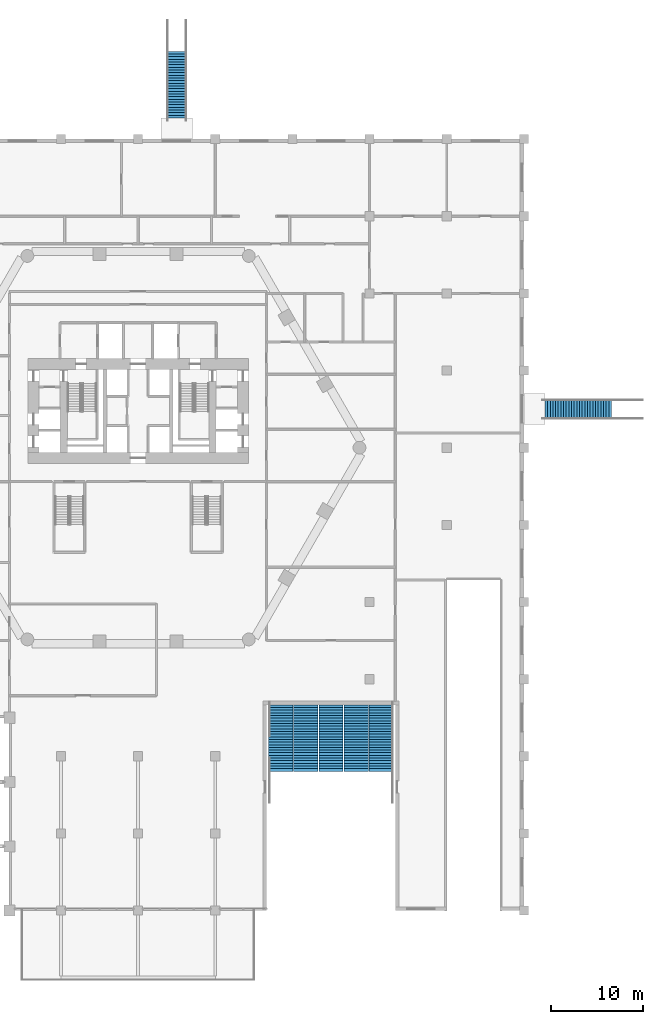
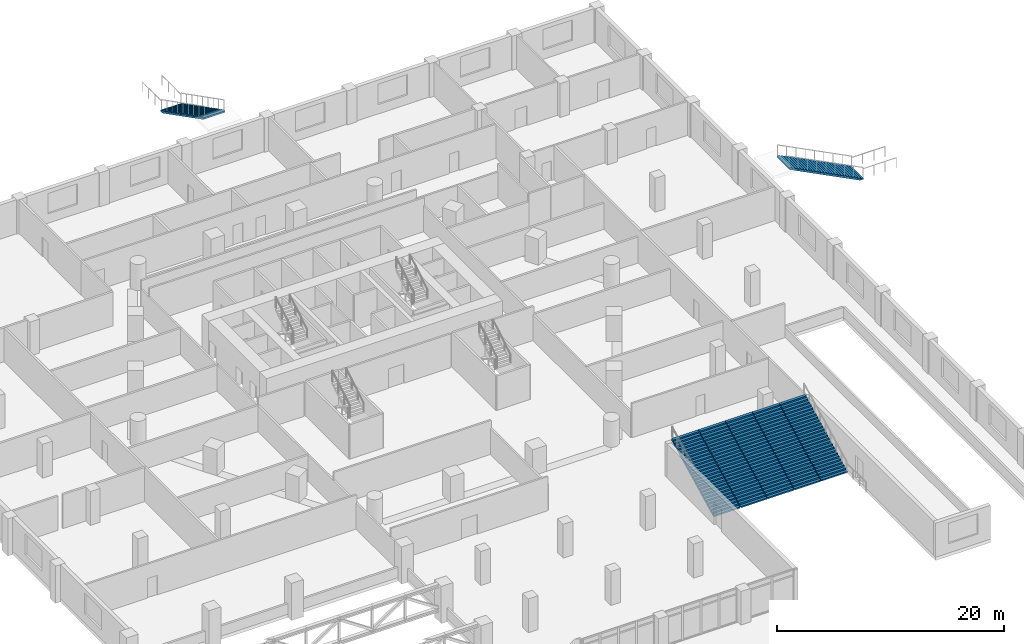
# One storey, part 18 of 24: 7 stair flights, 7 elements without a shape of their own.
"""IFC4 building model written with IfcOpenShell, lengths in metres."""

from ifc_helpers import new_model, si_unit, direction, frame, origin, place, context, subcontext, project, spatial, polyline, outline, extrude, material, type_object, element, aggregate, save


model = new_model("IFC4")

# Units and contexts
model_context = context("Model", 3, precision=1e-05, world=origin(), true_north=direction((0.0, 1.0)))
body_context = subcontext(model_context, "Body", "Model", "MODEL_VIEW")
ifc_project = project(units=[si_unit("LENGTHUNIT", "METRE"), si_unit("AREAUNIT", "SQUARE_METRE"), si_unit("VOLUMEUNIT", "CUBIC_METRE"), si_unit("PLANEANGLEUNIT", "RADIAN"), si_unit("MASSUNIT", "GRAM", prefix="KILO")], contexts=[model_context])

# Site, building, storey
site_placement = place(None, origin())
site = spatial("IfcSite", under=ifc_project, at=site_placement, CompositionType="ELEMENT")
building_placement = place(site_placement, origin())
building = spatial("IfcBuilding", under=site, at=building_placement, Name="Ostrander Bayou Hotel Tower", CompositionType="ELEMENT")
storey_placement = place(building_placement, frame((0.0, 0.0, 6.0)))
storey = spatial("IfcBuildingStorey", under=building, at=storey_placement, Name="L01", CompositionType="ELEMENT", Elevation=6.0)

# Stair, stair flight
ifc_material_1 = material(Name="Concrete f'c 40 MPa", Category="concrete")
stair_type_1 = type_object("IfcStairType", Name="ST11 deck stair 2200 mm", PredefinedType="STRAIGHT_RUN_STAIR", material=ifc_material_1)
stair_1_placement = place(storey_placement, origin())
stair_1 = element("IfcStair", 1, at=stair_1_placement, inside=storey, type_object=stair_type_1, Name="ST11 deck stair E", PredefinedType="STRAIGHT_RUN_STAIR")
ifc_material_2 = material(Name="Concrete f'c 40 MPa", Category="concrete")
stair_flight_type_1 = type_object("IfcStairFlightType", Name="ST11 deck stair flight 2200 mm", PredefinedType="STRAIGHT", material=ifc_material_2)
stair_flight_1_placement = place(storey_placement, frame((51.5400390625, 4.199951171875, 0.0), z_axis=(0.0, 0.0, 1.0), x_axis=(-1.0, 0.0, 0.0)))
stair_flight_1 = element("IfcStairFlight", 2, at=stair_flight_1_placement, type_object=stair_flight_type_1, Name="ST11 flight 1", NumberOfRisers=27, NumberOfTreads=26, PredefinedType="STRAIGHT", RiserHeight=0.148148148, TreadLength=0.29, context=body_context, shape_type="SweptSolid", body=[
    extrude(outline(polyline([(0.0, 0.0), (0.0, 0.148193359375), (0.2900390625, 0.148193359375), (0.2900390625, 0.29638671875), (0.580078125, 0.29638671875), (0.580078125, 0.4443359375), (0.8701171875, 0.4443359375), (0.8701171875, 0.592529296875), (1.159912109375, 0.592529296875), (1.159912109375, 0.74072265625), (1.449951171875, 0.74072265625), (1.449951171875, 0.888916015625), (1.739990234375, 0.888916015625), (1.739990234375, 1.037109375), (2.030029296875, 1.037109375), (2.030029296875, 1.185302734375), (2.320068359375, 1.185302734375), (2.320068359375, 1.333251953125), (2.610107421875, 1.333251953125), (2.610107421875, 1.4814453125), (2.89990234375, 1.4814453125), (2.89990234375, 1.629638671875), (3.18994140625, 1.629638671875), (3.18994140625, 1.77783203125), (3.47998046875, 1.77783203125), (3.47998046875, 1.926025390625), (3.77001953125, 1.926025390625), (3.77001953125, 2.073974609375), (4.06005859375, 2.073974609375), (4.06005859375, 2.22216796875), (4.35009765625, 2.22216796875), (4.35009765625, 2.370361328125), (4.639892578125, 2.370361328125), (4.639892578125, 2.5185546875), (4.929931640625, 2.5185546875), (4.929931640625, 2.666748046875), (5.219970703125, 2.666748046875), (5.219970703125, 2.814697265625), (5.510009765625, 2.814697265625), (5.510009765625, 2.962890625), (5.800048828125, 2.962890625), (5.800048828125, 3.111083984375), (6.090087890625, 3.111083984375), (6.090087890625, 3.25927734375), (6.3798828125, 3.25927734375), (6.3798828125, 3.407470703125), (6.669921875, 3.407470703125), (6.669921875, 3.5556640625), (6.9599609375, 3.5556640625), (6.9599609375, 3.70361328125), (7.25, 3.70361328125), (7.25, 3.851806640625), (7.5400390625, 3.851806640625), (7.5400390625, 4.0), (7.5400390625, 3.68359375), (0.32958984375, 0.0), (0.0, 0.0)])), frame((0.0, 1.10009765625, 0.0), z_axis=(0.0, -1.0, 0.0), x_axis=(1.0, 0.0, 0.0)), (0.0, 0.0, 1.0), 2.199951171875),
])
aggregate(stair_1, [stair_flight_1])

stair_2_placement = place(storey_placement, origin())
stair_2 = element("IfcStair", 3, at=stair_2_placement, inside=storey, type_object=stair_type_1, Name="ST11 deck stair N", PredefinedType="STRAIGHT_RUN_STAIR")
stair_flight_2_placement = place(storey_placement, frame((4.199951171875, 43.139892578125, 0.0), z_axis=(0.0, 0.0, 1.0), x_axis=(0.0, -1.0, 0.0)))
stair_flight_2 = element("IfcStairFlight", 4, at=stair_flight_2_placement, type_object=stair_flight_type_1, Name="ST11 flight 1", NumberOfRisers=27, NumberOfTreads=26, PredefinedType="STRAIGHT", RiserHeight=0.148148148, TreadLength=0.29, context=body_context, shape_type="SweptSolid", body=[
    extrude(outline(polyline([(0.0, 0.0), (0.0, 0.148193359375), (0.2900390625, 0.148193359375), (0.2900390625, 0.29638671875), (0.580078125, 0.29638671875), (0.580078125, 0.4443359375), (0.8701171875, 0.4443359375), (0.8701171875, 0.592529296875), (1.159912109375, 0.592529296875), (1.159912109375, 0.74072265625), (1.449951171875, 0.74072265625), (1.449951171875, 0.888916015625), (1.739990234375, 0.888916015625), (1.739990234375, 1.037109375), (2.030029296875, 1.037109375), (2.030029296875, 1.185302734375), (2.320068359375, 1.185302734375), (2.320068359375, 1.333251953125), (2.610107421875, 1.333251953125), (2.610107421875, 1.4814453125), (2.89990234375, 1.4814453125), (2.89990234375, 1.629638671875), (3.18994140625, 1.629638671875), (3.18994140625, 1.77783203125), (3.47998046875, 1.77783203125), (3.47998046875, 1.926025390625), (3.77001953125, 1.926025390625), (3.77001953125, 2.073974609375), (4.06005859375, 2.073974609375), (4.06005859375, 2.22216796875), (4.35009765625, 2.22216796875), (4.35009765625, 2.370361328125), (4.639892578125, 2.370361328125), (4.639892578125, 2.5185546875), (4.929931640625, 2.5185546875), (4.929931640625, 2.666748046875), (5.219970703125, 2.666748046875), (5.219970703125, 2.814697265625), (5.510009765625, 2.814697265625), (5.510009765625, 2.962890625), (5.800048828125, 2.962890625), (5.800048828125, 3.111083984375), (6.090087890625, 3.111083984375), (6.090087890625, 3.25927734375), (6.3798828125, 3.25927734375), (6.3798828125, 3.407470703125), (6.669921875, 3.407470703125), (6.669921875, 3.5556640625), (6.9599609375, 3.5556640625), (6.9599609375, 3.70361328125), (7.25, 3.70361328125), (7.25, 3.851806640625), (7.5400390625, 3.851806640625), (7.5400390625, 4.0), (7.5400390625, 3.68359375), (0.32958984375, 0.0), (0.0, 0.0)])), frame((0.0, 1.10009765625, 0.0), z_axis=(0.0, -1.0, 0.0), x_axis=(1.0, 0.0, 0.0)), (0.0, 0.0, 1.0), 2.199951171875),
])
aggregate(stair_2, [stair_flight_2])

ifc_material_3 = material(Name="Concrete f'c 40 MPa", Category="concrete")
stair_type_2 = type_object("IfcStairType", Name="ST9 garden stair", PredefinedType="STRAIGHT_RUN_STAIR", material=ifc_material_3)
stair_3_placement = place(storey_placement, origin())
stair_3 = element("IfcStair", 5, at=stair_3_placement, inside=storey, type_object=stair_type_2, Name="ST10 garden stair 1", PredefinedType="STRAIGHT_RUN_STAIR")
ifc_material_4 = material(Name="Concrete f'c 40 MPa", Category="concrete")
stair_flight_type_2 = type_object("IfcStairFlightType", Name="ST9 garden stair flight", PredefinedType="STRAIGHT", material=ifc_material_4)
stair_flight_3_placement = place(storey_placement, frame((15.528076171875, -35.239990234375, 0.0), z_axis=(0.0, 0.0, 1.0), x_axis=(0.0, 1.0, 0.0)))
stair_flight_3 = element("IfcStairFlight", 6, at=stair_flight_3_placement, type_object=stair_flight_type_2, Name="ST10 flight 1", NumberOfRisers=27, NumberOfTreads=26, PredefinedType="STRAIGHT", RiserHeight=0.148148148, TreadLength=0.29, context=body_context, shape_type="SweptSolid", body=[
    extrude(outline(polyline([(0.0, 0.0), (0.0, 0.148193359375), (0.2900390625, 0.148193359375), (0.2900390625, 0.29638671875), (0.580078125, 0.29638671875), (0.580078125, 0.4443359375), (0.8701171875, 0.4443359375), (0.8701171875, 0.592529296875), (1.159912109375, 0.592529296875), (1.159912109375, 0.74072265625), (1.449951171875, 0.74072265625), (1.449951171875, 0.888916015625), (1.739990234375, 0.888916015625), (1.739990234375, 1.037109375), (2.030029296875, 1.037109375), (2.030029296875, 1.185302734375), (2.320068359375, 1.185302734375), (2.320068359375, 1.333251953125), (2.610107421875, 1.333251953125), (2.610107421875, 1.4814453125), (2.89990234375, 1.4814453125), (2.89990234375, 1.629638671875), (3.18994140625, 1.629638671875), (3.18994140625, 1.77783203125), (3.47998046875, 1.77783203125), (3.47998046875, 1.926025390625), (3.77001953125, 1.926025390625), (3.77001953125, 2.073974609375), (4.06005859375, 2.073974609375), (4.06005859375, 2.22216796875), (4.35009765625, 2.22216796875), (4.35009765625, 2.370361328125), (4.639892578125, 2.370361328125), (4.639892578125, 2.5185546875), (4.929931640625, 2.5185546875), (4.929931640625, 2.666748046875), (5.219970703125, 2.666748046875), (5.219970703125, 2.814697265625), (5.510009765625, 2.814697265625), (5.510009765625, 2.962890625), (5.800048828125, 2.962890625), (5.800048828125, 3.111083984375), (6.090087890625, 3.111083984375), (6.090087890625, 3.25927734375), (6.3798828125, 3.25927734375), (6.3798828125, 3.407470703125), (6.669921875, 3.407470703125), (6.669921875, 3.5556640625), (6.9599609375, 3.5556640625), (6.9599609375, 3.70361328125), (7.25, 3.70361328125), (7.25, 3.851806640625), (7.5400390625, 3.851806640625), (7.5400390625, 4.0), (7.5400390625, 3.68359375), (0.32958984375, 0.0), (0.0, 0.0)])), frame((0.0, 1.328125, 0.0), z_axis=(0.0, -1.0, 0.0), x_axis=(1.0, 0.0, 0.0)), (0.0, 0.0, 1.0), 2.656005859375),
])
aggregate(stair_3, [stair_flight_3])

stair_4_placement = place(storey_placement, origin())
stair_4 = element("IfcStair", 7, at=stair_4_placement, inside=storey, type_object=stair_type_2, Name="ST10 garden stair 2", PredefinedType="STRAIGHT_RUN_STAIR")
stair_flight_4_placement = place(storey_placement, frame((18.263916015625, -35.239990234375, 0.0), z_axis=(0.0, 0.0, 1.0), x_axis=(0.0, 1.0, 0.0)))
stair_flight_4 = element("IfcStairFlight", 8, at=stair_flight_4_placement, type_object=stair_flight_type_2, Name="ST10 flight 1", NumberOfRisers=27, NumberOfTreads=26, PredefinedType="STRAIGHT", RiserHeight=0.148148148, TreadLength=0.29, context=body_context, shape_type="SweptSolid", body=[
    extrude(outline(polyline([(0.0, 0.0), (0.0, 0.148193359375), (0.2900390625, 0.148193359375), (0.2900390625, 0.29638671875), (0.580078125, 0.29638671875), (0.580078125, 0.4443359375), (0.8701171875, 0.4443359375), (0.8701171875, 0.592529296875), (1.159912109375, 0.592529296875), (1.159912109375, 0.74072265625), (1.449951171875, 0.74072265625), (1.449951171875, 0.888916015625), (1.739990234375, 0.888916015625), (1.739990234375, 1.037109375), (2.030029296875, 1.037109375), (2.030029296875, 1.185302734375), (2.320068359375, 1.185302734375), (2.320068359375, 1.333251953125), (2.610107421875, 1.333251953125), (2.610107421875, 1.4814453125), (2.89990234375, 1.4814453125), (2.89990234375, 1.629638671875), (3.18994140625, 1.629638671875), (3.18994140625, 1.77783203125), (3.47998046875, 1.77783203125), (3.47998046875, 1.926025390625), (3.77001953125, 1.926025390625), (3.77001953125, 2.073974609375), (4.06005859375, 2.073974609375), (4.06005859375, 2.22216796875), (4.35009765625, 2.22216796875), (4.35009765625, 2.370361328125), (4.639892578125, 2.370361328125), (4.639892578125, 2.5185546875), (4.929931640625, 2.5185546875), (4.929931640625, 2.666748046875), (5.219970703125, 2.666748046875), (5.219970703125, 2.814697265625), (5.510009765625, 2.814697265625), (5.510009765625, 2.962890625), (5.800048828125, 2.962890625), (5.800048828125, 3.111083984375), (6.090087890625, 3.111083984375), (6.090087890625, 3.25927734375), (6.3798828125, 3.25927734375), (6.3798828125, 3.407470703125), (6.669921875, 3.407470703125), (6.669921875, 3.5556640625), (6.9599609375, 3.5556640625), (6.9599609375, 3.70361328125), (7.25, 3.70361328125), (7.25, 3.851806640625), (7.5400390625, 3.851806640625), (7.5400390625, 4.0), (7.5400390625, 3.68359375), (0.32958984375, 0.0), (0.0, 0.0)])), frame((0.0, 1.328125, 0.0), z_axis=(0.0, -1.0, 0.0), x_axis=(1.0, 0.0, 0.0)), (0.0, 0.0, 1.0), 2.656005859375),
])
aggregate(stair_4, [stair_flight_4])

stair_5_placement = place(storey_placement, origin())
stair_5 = element("IfcStair", 9, at=stair_5_placement, inside=storey, type_object=stair_type_2, Name="ST10 garden stair 3", PredefinedType="STRAIGHT_RUN_STAIR")
stair_flight_5_placement = place(storey_placement, frame((21.0, -35.239990234375, 0.0), z_axis=(0.0, 0.0, 1.0), x_axis=(0.0, 1.0, 0.0)))
stair_flight_5 = element("IfcStairFlight", 10, at=stair_flight_5_placement, type_object=stair_flight_type_2, Name="ST10 flight 1", NumberOfRisers=27, NumberOfTreads=26, PredefinedType="STRAIGHT", RiserHeight=0.148148148, TreadLength=0.29, context=body_context, shape_type="SweptSolid", body=[
    extrude(outline(polyline([(0.0, 0.0), (0.0, 0.148193359375), (0.2900390625, 0.148193359375), (0.2900390625, 0.29638671875), (0.580078125, 0.29638671875), (0.580078125, 0.4443359375), (0.8701171875, 0.4443359375), (0.8701171875, 0.592529296875), (1.159912109375, 0.592529296875), (1.159912109375, 0.74072265625), (1.449951171875, 0.74072265625), (1.449951171875, 0.888916015625), (1.739990234375, 0.888916015625), (1.739990234375, 1.037109375), (2.030029296875, 1.037109375), (2.030029296875, 1.185302734375), (2.320068359375, 1.185302734375), (2.320068359375, 1.333251953125), (2.610107421875, 1.333251953125), (2.610107421875, 1.4814453125), (2.89990234375, 1.4814453125), (2.89990234375, 1.629638671875), (3.18994140625, 1.629638671875), (3.18994140625, 1.77783203125), (3.47998046875, 1.77783203125), (3.47998046875, 1.926025390625), (3.77001953125, 1.926025390625), (3.77001953125, 2.073974609375), (4.06005859375, 2.073974609375), (4.06005859375, 2.22216796875), (4.35009765625, 2.22216796875), (4.35009765625, 2.370361328125), (4.639892578125, 2.370361328125), (4.639892578125, 2.5185546875), (4.929931640625, 2.5185546875), (4.929931640625, 2.666748046875), (5.219970703125, 2.666748046875), (5.219970703125, 2.814697265625), (5.510009765625, 2.814697265625), (5.510009765625, 2.962890625), (5.800048828125, 2.962890625), (5.800048828125, 3.111083984375), (6.090087890625, 3.111083984375), (6.090087890625, 3.25927734375), (6.3798828125, 3.25927734375), (6.3798828125, 3.407470703125), (6.669921875, 3.407470703125), (6.669921875, 3.5556640625), (6.9599609375, 3.5556640625), (6.9599609375, 3.70361328125), (7.25, 3.70361328125), (7.25, 3.851806640625), (7.5400390625, 3.851806640625), (7.5400390625, 4.0), (7.5400390625, 3.68359375), (0.32958984375, 0.0), (0.0, 0.0)])), frame((0.0, 1.328125, 0.0), z_axis=(0.0, -1.0, 0.0), x_axis=(1.0, 0.0, 0.0)), (0.0, 0.0, 1.0), 2.656005859375),
])
aggregate(stair_5, [stair_flight_5])

stair_6_placement = place(storey_placement, origin())
stair_6 = element("IfcStair", 11, at=stair_6_placement, inside=storey, type_object=stair_type_2, Name="ST10 garden stair 4", PredefinedType="STRAIGHT_RUN_STAIR")
stair_flight_6_placement = place(storey_placement, frame((23.736083984375, -35.239990234375, 0.0), z_axis=(0.0, 0.0, 1.0), x_axis=(0.0, 1.0, 0.0)))
stair_flight_6 = element("IfcStairFlight", 12, at=stair_flight_6_placement, type_object=stair_flight_type_2, Name="ST10 flight 1", NumberOfRisers=27, NumberOfTreads=26, PredefinedType="STRAIGHT", RiserHeight=0.148148148, TreadLength=0.29, context=body_context, shape_type="SweptSolid", body=[
    extrude(outline(polyline([(0.0, 0.0), (0.0, 0.148193359375), (0.2900390625, 0.148193359375), (0.2900390625, 0.29638671875), (0.580078125, 0.29638671875), (0.580078125, 0.4443359375), (0.8701171875, 0.4443359375), (0.8701171875, 0.592529296875), (1.159912109375, 0.592529296875), (1.159912109375, 0.74072265625), (1.449951171875, 0.74072265625), (1.449951171875, 0.888916015625), (1.739990234375, 0.888916015625), (1.739990234375, 1.037109375), (2.030029296875, 1.037109375), (2.030029296875, 1.185302734375), (2.320068359375, 1.185302734375), (2.320068359375, 1.333251953125), (2.610107421875, 1.333251953125), (2.610107421875, 1.4814453125), (2.89990234375, 1.4814453125), (2.89990234375, 1.629638671875), (3.18994140625, 1.629638671875), (3.18994140625, 1.77783203125), (3.47998046875, 1.77783203125), (3.47998046875, 1.926025390625), (3.77001953125, 1.926025390625), (3.77001953125, 2.073974609375), (4.06005859375, 2.073974609375), (4.06005859375, 2.22216796875), (4.35009765625, 2.22216796875), (4.35009765625, 2.370361328125), (4.639892578125, 2.370361328125), (4.639892578125, 2.5185546875), (4.929931640625, 2.5185546875), (4.929931640625, 2.666748046875), (5.219970703125, 2.666748046875), (5.219970703125, 2.814697265625), (5.510009765625, 2.814697265625), (5.510009765625, 2.962890625), (5.800048828125, 2.962890625), (5.800048828125, 3.111083984375), (6.090087890625, 3.111083984375), (6.090087890625, 3.25927734375), (6.3798828125, 3.25927734375), (6.3798828125, 3.407470703125), (6.669921875, 3.407470703125), (6.669921875, 3.5556640625), (6.9599609375, 3.5556640625), (6.9599609375, 3.70361328125), (7.25, 3.70361328125), (7.25, 3.851806640625), (7.5400390625, 3.851806640625), (7.5400390625, 4.0), (7.5400390625, 3.68359375), (0.32958984375, 0.0), (0.0, 0.0)])), frame((0.0, 1.328125, 0.0), z_axis=(0.0, -1.0, 0.0), x_axis=(1.0, 0.0, 0.0)), (0.0, 0.0, 1.0), 2.656005859375),
])
aggregate(stair_6, [stair_flight_6])

stair_7_placement = place(storey_placement, origin())
stair_7 = element("IfcStair", 13, at=stair_7_placement, inside=storey, type_object=stair_type_2, Name="ST10 garden stair 5", PredefinedType="STRAIGHT_RUN_STAIR")
stair_flight_7_placement = place(storey_placement, frame((26.471923828125, -35.239990234375, 0.0), z_axis=(0.0, 0.0, 1.0), x_axis=(0.0, 1.0, 0.0)))
stair_flight_7 = element("IfcStairFlight", 14, at=stair_flight_7_placement, type_object=stair_flight_type_2, Name="ST10 flight 1", NumberOfRisers=27, NumberOfTreads=26, PredefinedType="STRAIGHT", RiserHeight=0.148148148, TreadLength=0.29, context=body_context, shape_type="SweptSolid", body=[
    extrude(outline(polyline([(0.0, 0.0), (0.0, 0.148193359375), (0.2900390625, 0.148193359375), (0.2900390625, 0.29638671875), (0.580078125, 0.29638671875), (0.580078125, 0.4443359375), (0.8701171875, 0.4443359375), (0.8701171875, 0.592529296875), (1.159912109375, 0.592529296875), (1.159912109375, 0.74072265625), (1.449951171875, 0.74072265625), (1.449951171875, 0.888916015625), (1.739990234375, 0.888916015625), (1.739990234375, 1.037109375), (2.030029296875, 1.037109375), (2.030029296875, 1.185302734375), (2.320068359375, 1.185302734375), (2.320068359375, 1.333251953125), (2.610107421875, 1.333251953125), (2.610107421875, 1.4814453125), (2.89990234375, 1.4814453125), (2.89990234375, 1.629638671875), (3.18994140625, 1.629638671875), (3.18994140625, 1.77783203125), (3.47998046875, 1.77783203125), (3.47998046875, 1.926025390625), (3.77001953125, 1.926025390625), (3.77001953125, 2.073974609375), (4.06005859375, 2.073974609375), (4.06005859375, 2.22216796875), (4.35009765625, 2.22216796875), (4.35009765625, 2.370361328125), (4.639892578125, 2.370361328125), (4.639892578125, 2.5185546875), (4.929931640625, 2.5185546875), (4.929931640625, 2.666748046875), (5.219970703125, 2.666748046875), (5.219970703125, 2.814697265625), (5.510009765625, 2.814697265625), (5.510009765625, 2.962890625), (5.800048828125, 2.962890625), (5.800048828125, 3.111083984375), (6.090087890625, 3.111083984375), (6.090087890625, 3.25927734375), (6.3798828125, 3.25927734375), (6.3798828125, 3.407470703125), (6.669921875, 3.407470703125), (6.669921875, 3.5556640625), (6.9599609375, 3.5556640625), (6.9599609375, 3.70361328125), (7.25, 3.70361328125), (7.25, 3.851806640625), (7.5400390625, 3.851806640625), (7.5400390625, 4.0), (7.5400390625, 3.68359375), (0.32958984375, 0.0), (0.0, 0.0)])), frame((0.0, 1.328125, 0.0), z_axis=(0.0, -1.0, 0.0), x_axis=(1.0, 0.0, 0.0)), (0.0, 0.0, 1.0), 2.656005859375),
])
aggregate(stair_7, [stair_flight_7])

save(model, "model.ifc")
